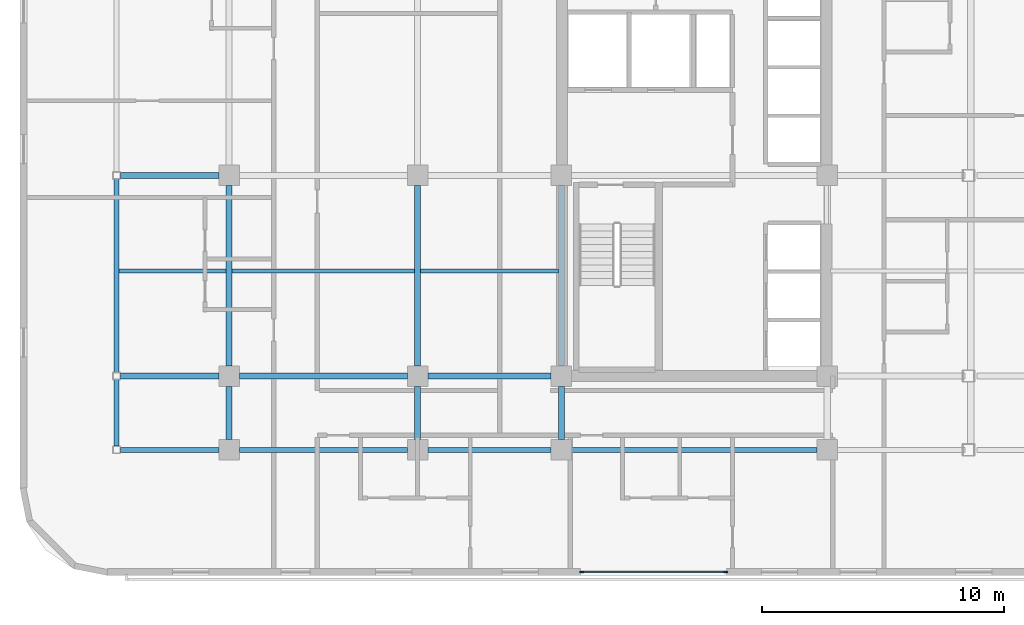
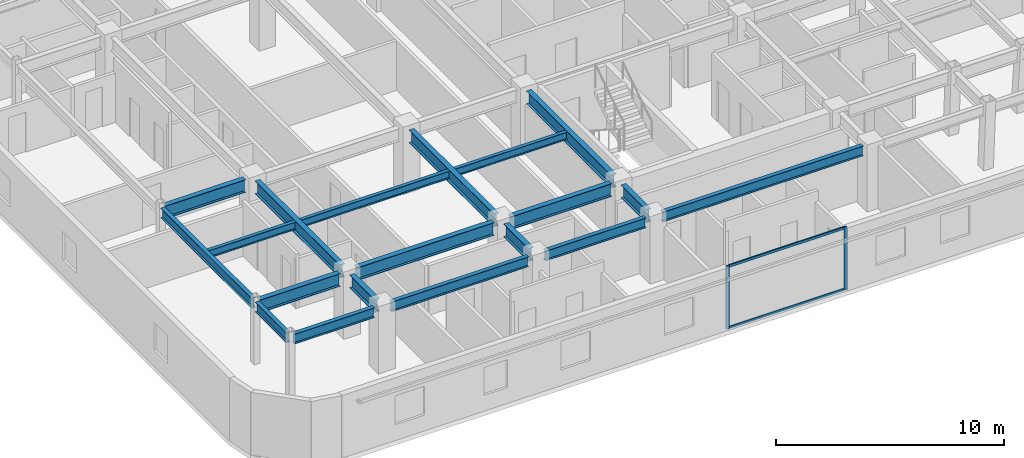
# One storey, part 4 of 15: 19 beams, 4 members, 1 element without a shape of its own.
"""IFC4 building model written with IfcOpenShell, lengths in metres."""

from ifc_helpers import new_model, si_unit, direction, frame, origin, origin_2d, place, context, subcontext, project, spatial, rectangle, i_section, extrude, material, layer, layer_set, material_profile, profile_set, type_object, element, aggregate, save


model = new_model("IFC4")

# Units and contexts
model_context = context("Model", 3, precision=1e-05, world=origin(), true_north=direction((0.0, 1.0)))
body_context = subcontext(model_context, "Body", "Model", "MODEL_VIEW")
ifc_project = project(units=[si_unit("LENGTHUNIT", "METRE"), si_unit("AREAUNIT", "SQUARE_METRE"), si_unit("VOLUMEUNIT", "CUBIC_METRE"), si_unit("PLANEANGLEUNIT", "RADIAN"), si_unit("MASSUNIT", "GRAM", prefix="KILO")], contexts=[model_context])

# Site, building, storey
site_placement = place(None, origin())
site = spatial("IfcSite", under=ifc_project, at=site_placement, CompositionType="ELEMENT")
building_placement = place(site_placement, origin())
building = spatial("IfcBuilding", under=site, at=building_placement, Name="Ochreholt Gables", CompositionType="ELEMENT")
storey_placement = place(building_placement, frame((0.0, 0.0, 31.199951171875)))
storey = spatial("IfcBuildingStorey", under=building, at=storey_placement, Name="L07", CompositionType="ELEMENT", Elevation=31.199951171875)

# Beams
ifc_material_1 = material(Name="Steel CSA G40.21 350W", Category="steel")
ifc_material_profile_1 = material_profile(ifc_material_1, i_section(OverallWidth=0.256103515625, OverallDepth=0.693115234375, WebThickness=0.014404296875, FlangeThickness=0.023681640625, at=origin_2d()), Name="W690X170")
ifc_profile_set_1 = profile_set([ifc_material_profile_1], Name="Steel CSA G40.21 350W")
beam_type_1 = type_object("IfcBeamType", Name="BM-G-W690", PredefinedType="BEAM", material=ifc_profile_set_1)
beam_1_placement = place(storey_placement, frame((5.9521484375, 9.25, 3.013427734375), z_axis=(1.0, 0.0, 0.0), x_axis=(0.0, 1.0, 0.0)))
element("IfcBeam", 1, at=beam_1_placement, inside=storey, type_object=beam_type_1, Name="L07 Beam TBG-L07-WTW2-Y2", PredefinedType="BEAM", context=body_context, shape_type="SweptSolid", body=[
    extrude(i_section(OverallWidth=0.256103515625, OverallDepth=0.693115234375, WebThickness=0.014404296875, FlangeThickness=0.023681640625, at=origin_2d()), origin(), (0.0, 0.0, 1.0), 4.0732421875),
])
beam_2_placement = place(storey_placement, frame((10.87451171875, 9.25, 3.013427734375), z_axis=(1.0, 0.0, 0.0), x_axis=(0.0, 1.0, 0.0)))
element("IfcBeam", 2, at=beam_2_placement, inside=storey, type_object=beam_type_1, Name="L07 Beam TBG-L07-W2W3-Y2", PredefinedType="BEAM", context=body_context, shape_type="SweptSolid", body=[
    extrude(i_section(OverallWidth=0.256103515625, OverallDepth=0.693115234375, WebThickness=0.014404296875, FlangeThickness=0.023681640625, at=origin_2d()), origin(), (0.0, 0.0, 1.0), 6.950927734375),
])
beam_3_placement = place(storey_placement, frame((18.674560546875, 9.25, 3.013427734375), z_axis=(1.0, 0.0, 0.0), x_axis=(0.0, 1.0, 0.0)))
element("IfcBeam", 3, at=beam_3_placement, inside=storey, type_object=beam_type_1, Name="L07 Beam TBG-L07-W3C1-Y2", PredefinedType="BEAM", context=body_context, shape_type="SweptSolid", body=[
    extrude(i_section(OverallWidth=0.256103515625, OverallDepth=0.693115234375, WebThickness=0.014404296875, FlangeThickness=0.023681640625, at=origin_2d()), origin(), (0.0, 0.0, 1.0), 5.100830078125),
])
beam_4_placement = place(storey_placement, frame((5.9521484375, 17.550048828125, 3.013427734375), z_axis=(1.0, 0.0, 0.0), x_axis=(0.0, 1.0, 0.0)))
element("IfcBeam", 4, at=beam_4_placement, inside=storey, type_object=beam_type_1, Name="L07 Beam TBG-L07-WTW2-Y3", PredefinedType="BEAM", context=body_context, shape_type="SweptSolid", body=[
    extrude(i_section(OverallWidth=0.256103515625, OverallDepth=0.693115234375, WebThickness=0.014404296875, FlangeThickness=0.023681640625, at=origin_2d()), origin(), (0.0, 0.0, 1.0), 4.0732421875),
])
beam_5_placement = place(storey_placement, frame((10.449951171875, 6.62451171875, 3.013427734375), z_axis=(0.0, 1.0, 0.0), x_axis=(-1.0, 0.0, 0.0)))
element("IfcBeam", 5, at=beam_5_placement, inside=storey, type_object=beam_type_1, Name="L07 Beam TBN-L07-W2-Y1Y2", PredefinedType="BEAM", context=body_context, shape_type="SweptSolid", body=[
    extrude(i_section(OverallWidth=0.256103515625, OverallDepth=0.693115234375, WebThickness=0.014404296875, FlangeThickness=0.023681640625, at=origin_2d()), origin(), (0.0, 0.0, 1.0), 2.200927734375),
])
beam_6_placement = place(storey_placement, frame((10.449951171875, 9.674560546875, 3.013427734375), z_axis=(0.0, 1.0, 0.0), x_axis=(-1.0, 0.0, 0.0)))
element("IfcBeam", 6, at=beam_6_placement, inside=storey, type_object=beam_type_1, Name="L07 Beam TBN-L07-W2-Y2Y3", PredefinedType="BEAM", context=body_context, shape_type="SweptSolid", body=[
    extrude(i_section(OverallWidth=0.256103515625, OverallDepth=0.693115234375, WebThickness=0.014404296875, FlangeThickness=0.023681640625, at=origin_2d()), origin(), (0.0, 0.0, 1.0), 7.450927734375),
])
beam_7_placement = place(storey_placement, frame((18.25, 6.62451171875, 3.013427734375), z_axis=(0.0, 1.0, 0.0), x_axis=(-1.0, 0.0, 0.0)))
element("IfcBeam", 7, at=beam_7_placement, inside=storey, type_object=beam_type_1, Name="L07 Beam TBN-L07-W3-Y1Y2", PredefinedType="BEAM", context=body_context, shape_type="SweptSolid", body=[
    extrude(i_section(OverallWidth=0.256103515625, OverallDepth=0.693115234375, WebThickness=0.014404296875, FlangeThickness=0.023681640625, at=origin_2d()), origin(), (0.0, 0.0, 1.0), 2.200927734375),
])
beam_8_placement = place(storey_placement, frame((18.25, 9.674560546875, 3.013427734375), z_axis=(0.0, 1.0, 0.0), x_axis=(-1.0, 0.0, 0.0)))
element("IfcBeam", 8, at=beam_8_placement, inside=storey, type_object=beam_type_1, Name="L07 Beam TBN-L07-W3-Y2Y3", PredefinedType="BEAM", context=body_context, shape_type="SweptSolid", body=[
    extrude(i_section(OverallWidth=0.256103515625, OverallDepth=0.693115234375, WebThickness=0.014404296875, FlangeThickness=0.023681640625, at=origin_2d()), origin(), (0.0, 0.0, 1.0), 7.450927734375),
])
beam_9_placement = place(storey_placement, frame((24.199951171875, 6.62451171875, 3.013427734375), z_axis=(0.0, 1.0, 0.0), x_axis=(-1.0, 0.0, 0.0)))
element("IfcBeam", 9, at=beam_9_placement, inside=storey, type_object=beam_type_1, Name="L07 Beam TBN-L07-C1-Y1Y2", PredefinedType="BEAM", context=body_context, shape_type="SweptSolid", body=[
    extrude(i_section(OverallWidth=0.256103515625, OverallDepth=0.693115234375, WebThickness=0.014404296875, FlangeThickness=0.023681640625, at=origin_2d()), origin(), (0.0, 0.0, 1.0), 2.200927734375),
])
beam_10_placement = place(storey_placement, frame((24.199951171875, 9.674560546875, 3.013427734375), z_axis=(0.0, 1.0, 0.0), x_axis=(-1.0, 0.0, 0.0)))
element("IfcBeam", 10, at=beam_10_placement, inside=storey, type_object=beam_type_1, Name="L07 Beam TBN-L07-C1-Y2Y3", PredefinedType="BEAM", context=body_context, shape_type="SweptSolid", body=[
    extrude(i_section(OverallWidth=0.256103515625, OverallDepth=0.693115234375, WebThickness=0.014404296875, FlangeThickness=0.023681640625, at=origin_2d()), origin(), (0.0, 0.0, 1.0), 7.450927734375),
])
ifc_material_profile_2 = material_profile(ifc_material_1, i_section(OverallWidth=0.178955078125, OverallDepth=0.409912109375, WebThickness=0.0087890625, FlangeThickness=0.014404296875, at=origin_2d()), Name="W410X67")
ifc_profile_set_2 = profile_set([ifc_material_profile_2], Name="Steel CSA G40.21 350W")
beam_type_2 = type_object("IfcBeamType", Name="BM-J-W410", PredefinedType="JOIST", material=ifc_profile_set_2)
beam_11_placement = place(storey_placement, frame((5.904052734375, 13.60009765625, 3.155029296875), z_axis=(1.0, 0.0, 0.0), x_axis=(0.0, 1.0, 0.0)))
element("IfcBeam", 11, at=beam_11_placement, inside=storey, type_object=beam_type_2, Name="L07 Beam TBJ-L07-J1-WTW2", PredefinedType="JOIST", context=body_context, shape_type="SweptSolid", body=[
    extrude(i_section(OverallWidth=0.178955078125, OverallDepth=0.409912109375, WebThickness=0.0087890625, FlangeThickness=0.014404296875, at=origin_2d()), origin(), (0.0, 0.0, 1.0), 4.41845703125),
])
beam_12_placement = place(storey_placement, frame((10.57763671875, 13.60009765625, 3.155029296875), z_axis=(1.0, 0.0, 0.0), x_axis=(0.0, 1.0, 0.0)))
element("IfcBeam", 12, at=beam_12_placement, inside=storey, type_object=beam_type_2, Name="L07 Beam TBJ-L07-J1-W2W3", PredefinedType="JOIST", context=body_context, shape_type="SweptSolid", body=[
    extrude(i_section(OverallWidth=0.178955078125, OverallDepth=0.409912109375, WebThickness=0.0087890625, FlangeThickness=0.014404296875, at=origin_2d()), origin(), (0.0, 0.0, 1.0), 7.544677734375),
])
beam_13_placement = place(storey_placement, frame((18.377685546875, 13.60009765625, 3.155029296875), z_axis=(1.0, 0.0, 0.0), x_axis=(0.0, 1.0, 0.0)))
element("IfcBeam", 13, at=beam_13_placement, inside=storey, type_object=beam_type_2, Name="L07 Beam TBJ-L07-J1-W3C1", PredefinedType="JOIST", context=body_context, shape_type="SweptSolid", body=[
    extrude(i_section(OverallWidth=0.178955078125, OverallDepth=0.409912109375, WebThickness=0.0087890625, FlangeThickness=0.014404296875, at=origin_2d()), origin(), (0.0, 0.0, 1.0), 5.69482421875),
])
ifc_material_profile_3 = material_profile(ifc_material_1, i_section(OverallWidth=0.208984375, OverallDepth=0.532958984375, WebThickness=0.01025390625, FlangeThickness=0.015625, at=origin_2d()), Name="W530X92")
ifc_profile_set_3 = profile_set([ifc_material_profile_3], Name="Steel CSA G40.21 350W")
beam_type_3 = type_object("IfcBeamType", Name="BM-SP-W530B", PredefinedType="SPANDREL", material=ifc_profile_set_3)
beam_14_placement = place(storey_placement, frame((5.9521484375, 6.199951171875, 3.093505859375), z_axis=(1.0, 0.0, 0.0), x_axis=(0.0, 1.0, 0.0)))
element("IfcBeam", 14, at=beam_14_placement, inside=storey, type_object=beam_type_3, Name="L07 Beam TBG-L07-WTW2-Y1", PredefinedType="SPANDREL", context=body_context, shape_type="SweptSolid", body=[
    extrude(i_section(OverallWidth=0.208984375, OverallDepth=0.532958984375, WebThickness=0.01025390625, FlangeThickness=0.015625, at=origin_2d()), origin(), (0.0, 0.0, 1.0), 4.0732421875),
])
beam_15_placement = place(storey_placement, frame((10.87451171875, 6.199951171875, 3.093505859375), z_axis=(1.0, 0.0, 0.0), x_axis=(0.0, 1.0, 0.0)))
element("IfcBeam", 15, at=beam_15_placement, inside=storey, type_object=beam_type_3, Name="L07 Beam TBG-L07-W2W3-Y1", PredefinedType="SPANDREL", context=body_context, shape_type="SweptSolid", body=[
    extrude(i_section(OverallWidth=0.208984375, OverallDepth=0.532958984375, WebThickness=0.01025390625, FlangeThickness=0.015625, at=origin_2d()), origin(), (0.0, 0.0, 1.0), 6.950927734375),
])
beam_16_placement = place(storey_placement, frame((18.674560546875, 6.199951171875, 3.093505859375), z_axis=(1.0, 0.0, 0.0), x_axis=(0.0, 1.0, 0.0)))
element("IfcBeam", 16, at=beam_16_placement, inside=storey, type_object=beam_type_3, Name="L07 Beam TBG-L07-W3C1-Y1", PredefinedType="SPANDREL", context=body_context, shape_type="SweptSolid", body=[
    extrude(i_section(OverallWidth=0.208984375, OverallDepth=0.532958984375, WebThickness=0.01025390625, FlangeThickness=0.015625, at=origin_2d()), origin(), (0.0, 0.0, 1.0), 5.100830078125),
])
beam_17_placement = place(storey_placement, frame((24.62451171875, 6.199951171875, 3.093505859375), z_axis=(1.0, 0.0, 0.0), x_axis=(0.0, 1.0, 0.0)))
element("IfcBeam", 17, at=beam_17_placement, inside=storey, type_object=beam_type_3, Name="L07 Beam TBG-L07-C1C2-Y1", PredefinedType="SPANDREL", context=body_context, shape_type="SweptSolid", body=[
    extrude(i_section(OverallWidth=0.208984375, OverallDepth=0.532958984375, WebThickness=0.01025390625, FlangeThickness=0.015625, at=origin_2d()), origin(), (0.0, 0.0, 1.0), 10.15087890625),
])
beam_18_placement = place(storey_placement, frame((5.800048828125, 6.35205078125, 3.093505859375), z_axis=(0.0, 1.0, 0.0), x_axis=(-1.0, 0.0, 0.0)))
element("IfcBeam", 18, at=beam_18_placement, inside=storey, type_object=beam_type_3, Name="L07 Beam TBN-L07-WT-Y1Y2", PredefinedType="SPANDREL", context=body_context, shape_type="SweptSolid", body=[
    extrude(i_section(OverallWidth=0.208984375, OverallDepth=0.532958984375, WebThickness=0.01025390625, FlangeThickness=0.015625, at=origin_2d()), origin(), (0.0, 0.0, 1.0), 2.745849609375),
])
beam_19_placement = place(storey_placement, frame((5.800048828125, 9.402099609375, 3.093505859375), z_axis=(0.0, 1.0, 0.0), x_axis=(-1.0, 0.0, 0.0)))
element("IfcBeam", 19, at=beam_19_placement, inside=storey, type_object=beam_type_3, Name="L07 Beam TBN-L07-WT-Y2Y3", PredefinedType="SPANDREL", context=body_context, shape_type="SweptSolid", body=[
    extrude(i_section(OverallWidth=0.208984375, OverallDepth=0.532958984375, WebThickness=0.01025390625, FlangeThickness=0.015625, at=origin_2d()), origin(), (0.0, 0.0, 1.0), 7.995849609375),
])

# Curtain wall, members
ifc_material_2 = material(Name="Unitised Aluminium and Triple Glazing", Category="aluminium")
ifc_layer = layer(ifc_material_2, 0.179931640625, Name="Unitised Aluminium and Triple Glazing")
ifc_layer_set = layer_set([ifc_layer], Name="Unitised Aluminium and Triple Glazing")
curtain_wall_type = type_object("IfcCurtainWallType", Name="CW-SYS2", PredefinedType="NOTDEFINED", material=ifc_layer_set)
curtain_wall_placement = place(storey_placement, origin())
curtain_wall = element("IfcCurtainWall", 20, at=curtain_wall_placement, inside=storey, type_object=curtain_wall_type, Name="L07 South Unitised Curtain Wall", PredefinedType="NOTDEFINED")
ifc_material_3 = material(Name="Anodized Aluminium 6063-T6", Category="aluminium")
ifc_material_profile_4 = material_profile(ifc_material_3, rectangle(XDim=0.06494140625, YDim=0.1650390625, at=origin_2d()), Name="CWM65X165")
ifc_profile_set_4 = profile_set([ifc_material_profile_4], Name="Anodized Aluminium 6063-T6")
member_type_1 = type_object("IfcMemberType", Name="CW-MUL-B", PredefinedType="MULLION", material=ifc_profile_set_4)
member_1_placement = place(storey_placement, frame((25.032470703125, 1.14501953125, 0.0), z_axis=(0.0, 0.0, 1.0), x_axis=(0.0, 1.0, 0.0)))
member_1 = element("IfcMember", 21, at=member_1_placement, type_object=member_type_1, Name="CW-2 mullion 1", PredefinedType="MULLION", context=body_context, shape_type="SweptSolid", body=[
    extrude(rectangle(XDim=0.06494140625, YDim=0.1650390625, at=origin_2d()), origin(), (0.0, 0.0, 1.0), 3.360107421875),
])
member_2_placement = place(storey_placement, frame((30.99755859375, 1.14501953125, 0.0), z_axis=(0.0, 0.0, 1.0), x_axis=(0.0, 1.0, 0.0)))
member_2 = element("IfcMember", 22, at=member_2_placement, type_object=member_type_1, Name="CW-2 mullion 2", PredefinedType="MULLION", context=body_context, shape_type="SweptSolid", body=[
    extrude(rectangle(XDim=0.06494140625, YDim=0.1650390625, at=origin_2d()), origin(), (0.0, 0.0, 1.0), 3.360107421875),
])
ifc_material_profile_5 = material_profile(ifc_material_3, rectangle(XDim=0.06494140625, YDim=0.135009765625, at=origin_2d()), Name="CWT65X135")
ifc_profile_set_5 = profile_set([ifc_material_profile_5], Name="Anodized Aluminium 6063-T6")
member_type_2 = type_object("IfcMemberType", Name="CW-TRN-B", PredefinedType="USERDEFINED", material=ifc_profile_set_5)
member_3_placement = place(storey_placement, frame((25.06494140625, 1.14501953125, 0.032470703125), z_axis=(1.0, 0.0, 0.0), x_axis=(0.0, 1.0, 0.0)))
member_3 = element("IfcMember", 23, at=member_3_placement, type_object=member_type_2, Name="CW-2 transom 1.1", ObjectType="TRANSOM", PredefinedType="USERDEFINED", context=body_context, shape_type="SweptSolid", body=[
    extrude(rectangle(XDim=0.06494140625, YDim=0.135009765625, at=origin_2d()), origin(), (0.0, 0.0, 1.0), 5.900146484375),
])
member_4_placement = place(storey_placement, frame((25.06494140625, 1.14501953125, 3.32763671875), z_axis=(1.0, 0.0, 0.0), x_axis=(0.0, 1.0, 0.0)))
member_4 = element("IfcMember", 24, at=member_4_placement, type_object=member_type_2, Name="CW-2 transom 1.2", ObjectType="TRANSOM", PredefinedType="USERDEFINED", context=body_context, shape_type="SweptSolid", body=[
    extrude(rectangle(XDim=0.06494140625, YDim=0.135009765625, at=origin_2d()), origin(), (0.0, 0.0, 1.0), 5.900146484375),
])
aggregate(curtain_wall, [member_1, member_2, member_3, member_4])

save(model, "model.ifc")
